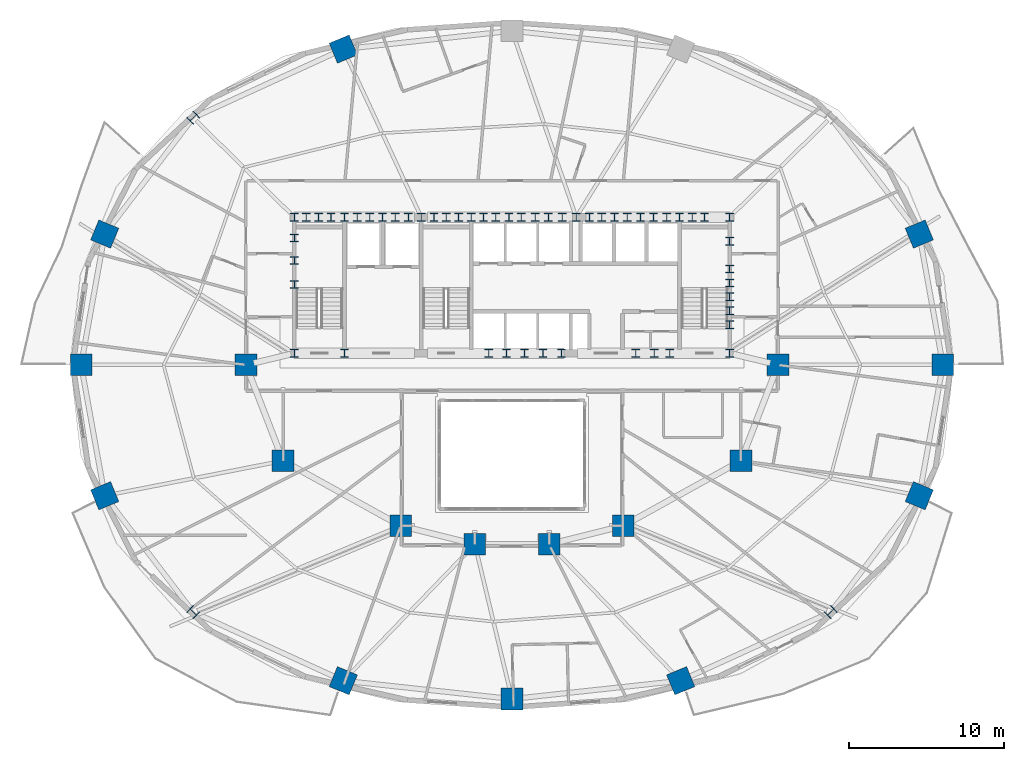
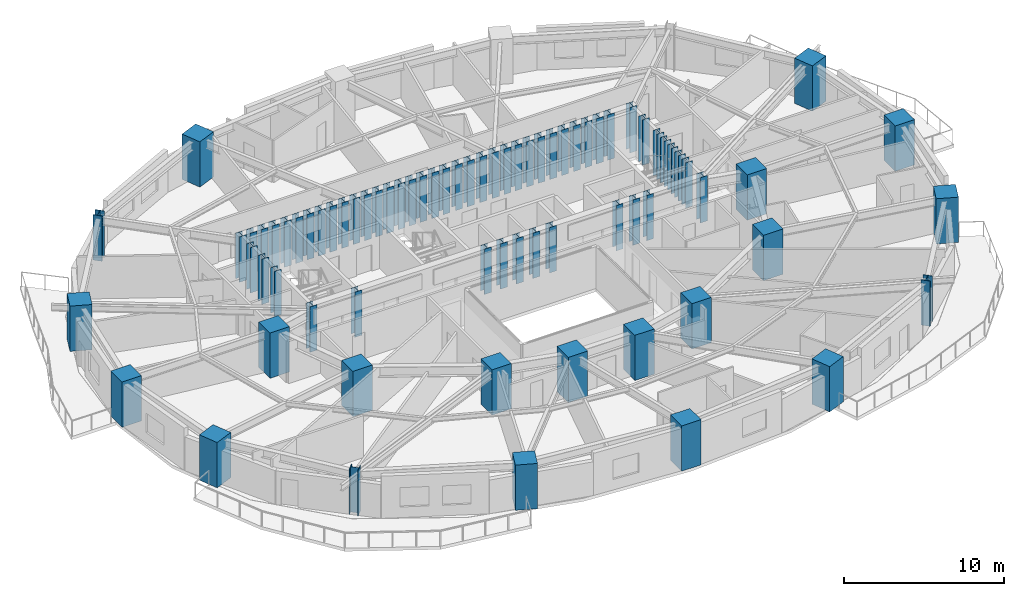
# One storey, part 1 of 15: 75 columns.
"""IFC4 building model written with IfcOpenShell, lengths in metres."""

from ifc_helpers import new_model, si_unit, direction, frame, origin, origin_2d, place, context, subcontext, project, spatial, rectangle, i_section, extrude, material, material_profile, profile_set, type_object, element, save


model = new_model("IFC4")

# Units and contexts
model_context = context("Model", 3, precision=1e-05, world=origin(), true_north=direction((0.0, 1.0)))
body_context = subcontext(model_context, "Body", "Model", "MODEL_VIEW")
ifc_project = project(units=[si_unit("LENGTHUNIT", "METRE"), si_unit("AREAUNIT", "SQUARE_METRE"), si_unit("VOLUMEUNIT", "CUBIC_METRE"), si_unit("PLANEANGLEUNIT", "RADIAN"), si_unit("MASSUNIT", "GRAM", prefix="KILO")], contexts=[model_context])

# Site, building, storey
site_placement = place(None, origin())
site = spatial("IfcSite", under=ifc_project, at=site_placement, CompositionType="ELEMENT")
building_placement = place(site_placement, origin())
building = spatial("IfcBuilding", under=site, at=building_placement, Name="Haldorwick Loom Tower", CompositionType="ELEMENT")
storey_placement = place(building_placement, frame((0.0, 0.0, 81.800048828125)))
storey = spatial("IfcBuildingStorey", under=building, at=storey_placement, Name="L21", CompositionType="ELEMENT", Elevation=81.800048828125)

# Columns
ifc_material_1 = material(Name="Concrete C60 (60 MPa)", Category="concrete")
ifc_material_profile_1 = material_profile(ifc_material_1, rectangle(XDim=1.39990234375, YDim=1.39990234375, at=origin_2d()), Name="RC1400X1400", Category="concrete")
ifc_profile_set_1 = profile_set([ifc_material_profile_1], Name="Concrete C60 (60 MPa)")
column_type_1 = type_object("IfcColumnType", Name="STR-COL-MEGA1400", PredefinedType="COLUMN", material=ifc_profile_set_1)
for number, where, z_axis, x_axis, name in (
    (1, (53.199951171875, 26.0, 0.0), (0.0, 0.0, 1.0), (1.0, 0.0, 0.0), "L21 Inner Column IC-01"),
    (2, (50.800048828125, 19.800048828125, 0.0), (0.0, 0.0, 1.0), (1.0, 0.0, 0.0), "L21 Inner Column IC-02"),
    (3, (43.199951171875, 15.60009765625, 0.0), (0.0, 0.0, 1.0), (1.0, 0.0, 0.0), "L21 Inner Column IC-03"),
    (4, (38.39990234375, 14.39990234375, 0.0), (0.0, 0.0, 1.0), (1.0, 0.0, 0.0), "L21 Inner Column IC-04"),
    (5, (33.60009765625, 14.39990234375, 0.0), (0.0, 0.0, 1.0), (1.0, 0.0, 0.0), "L21 Inner Column IC-05"),
    (6, (28.800048828125, 15.60009765625, 0.0), (0.0, 0.0, 1.0), (1.0, 0.0, 0.0), "L21 Inner Column IC-06"),
    (7, (21.199951171875, 19.800048828125, 0.0), (0.0, 0.0, 1.0), (1.0, 0.0, 0.0), "L21 Inner Column IC-07"),
    (8, (18.800048828125, 26.0, 0.0), (0.0, 0.0, 1.0), (1.0, 0.0, 0.0), "L21 Inner Column IC-08"),
):
    element("IfcColumn", number, at=place(storey_placement, frame(where, z_axis=z_axis, x_axis=x_axis)), inside=storey, type_object=column_type_1, Name=name, PredefinedType="COLUMN", context=body_context, shape_type="SweptSolid", body=[
        extrude(rectangle(XDim=1.39990234375, YDim=1.39990234375, at=origin_2d()), origin(), (0.0, 0.0, 1.0), 3.449951171875),
    ])
ifc_material_profile_2 = material_profile(ifc_material_1, rectangle(XDim=1.39990234375, YDim=1.39990234375, at=origin_2d()), Name="RC1400X1400", Category="concrete")
ifc_profile_set_2 = profile_set([ifc_material_profile_2], Name="Concrete C60 (60 MPa)")
column_type_2 = type_object("IfcColumnType", Name="STR-COL-RC1400", PredefinedType="PILASTER", material=ifc_profile_set_2)
for number, where, z_axis, x_axis, name in (
    (9, (63.857666015625, 26.0, 0.0), (0.0, 0.0, 1.0), (1.0, 0.0, 0.0), "L21 Perimeter Pier Column P01"),
    (10, (62.33056640625, 34.457275390625, 0.0), (0.0, 0.0, 1.0), (0.923879532511, 0.382683432365, 0.0), "L21 Perimeter Pier Column P02"),
    (11, (25.093505859375, 46.417724609375, 0.0), (0.0, 0.0, 1.0), (-0.382683432365, 0.923879532511, 0.0), "L21 Perimeter Pier Column P06"),
    (12, (9.66943359375, 34.457275390625, 0.0), (0.0, 0.0, 1.0), (-0.923879532511, 0.382683432365, 0.0), "L21 Perimeter Pier Column P08"),
    (13, (8.142333984375, 26.0, 0.0), (0.0, 0.0, 1.0), (-1.0, 0.0, 0.0), "L21 Perimeter Pier Column P09"),
    (14, (9.66943359375, 17.542724609375, 0.0), (0.0, 0.0, 1.0), (-0.923879532511, -0.382683432365, 0.0), "L21 Perimeter Pier Column P10"),
    (15, (25.093505859375, 5.582275390625, 0.0), (0.0, 0.0, 1.0), (-0.382683432365, -0.923879532511, 0.0), "L21 Perimeter Pier Column P12"),
    (16, (36.0, 4.401611328125, 0.0), (0.0, 0.0, 1.0), (0.0, -1.0, 0.0), "L21 Perimeter Pier Column P13"),
    (17, (46.906494140625, 5.582275390625, 0.0), (0.0, 0.0, 1.0), (0.382683432365, -0.923879532511, 0.0), "L21 Perimeter Pier Column P14"),
    (18, (62.33056640625, 17.542724609375, 0.0), (0.0, 0.0, 1.0), (0.923879532511, -0.382683432365, 0.0), "L21 Perimeter Pier Column P16"),
):
    element("IfcColumn", number, at=place(storey_placement, frame(where, z_axis=z_axis, x_axis=x_axis)), inside=storey, type_object=column_type_2, Name=name, PredefinedType="PILASTER", context=body_context, shape_type="SweptSolid", body=[
        extrude(rectangle(XDim=1.39990234375, YDim=1.39990234375, at=origin_2d()), origin(), (0.0, 0.0, 1.0), 3.449951171875),
    ])
ifc_material_2 = material(Name="Steel CSA G40.21 350WT", Category="steel")
ifc_material_profile_3 = material_profile(ifc_material_2, i_section(OverallWidth=0.5, OverallDepth=0.5, WebThickness=0.02197265625, FlangeThickness=0.031982421875, at=origin_2d()), Name="WWF500X500", Category="steel")
ifc_profile_set_3 = profile_set([ifc_material_profile_3], Name="Steel CSA G40.21 350WT")
column_type_3 = type_object("IfcColumnType", Name="STR-COL-WWF500", PredefinedType="COLUMN", material=ifc_profile_set_3)
for number, where, z_axis, x_axis, name in (
    (19, (21.929931640625, 35.550048828125, 0.0), (0.0, 0.0, 1.0), (1.0, 0.0, 0.0), "L21 Core Pilaster CB-01"),
    (20, (23.5, 35.550048828125, 0.0), (0.0, 0.0, 1.0), (1.0, 0.0, 0.0), "L21 Core Pilaster CB-02"),
    (21, (25.169921875, 35.550048828125, 0.0), (0.0, 0.0, 1.0), (1.0, 0.0, 0.0), "L21 Core Pilaster CB-03"),
    (22, (26.800048828125, 35.550048828125, 0.0), (0.0, 0.0, 1.0), (1.0, 0.0, 0.0), "L21 Core Pilaster CB-04"),
    (23, (28.449951171875, 35.550048828125, 0.0), (0.0, 0.0, 1.0), (1.0, 0.0, 0.0), "L21 Core Pilaster CB-05"),
    (24, (30.1298828125, 35.550048828125, 0.0), (0.0, 0.0, 1.0), (1.0, 0.0, 0.0), "L21 Core Pilaster CB-06"),
    (25, (31.75, 35.550048828125, 0.0), (0.0, 0.0, 1.0), (1.0, 0.0, 0.0), "L21 Core Pilaster CB-07"),
    (26, (33.3701171875, 35.550048828125, 0.0), (0.0, 0.0, 1.0), (1.0, 0.0, 0.0), "L21 Core Pilaster CB-08"),
    (27, (34.949951171875, 35.550048828125, 0.0), (0.0, 0.0, 1.0), (1.0, 0.0, 0.0), "L21 Core Pilaster CB-09"),
    (28, (36.60009765625, 35.550048828125, 0.0), (0.0, 0.0, 1.0), (1.0, 0.0, 0.0), "L21 Core Pilaster CB-10"),
    (29, (38.35009765625, 35.550048828125, 0.0), (0.0, 0.0, 1.0), (1.0, 0.0, 0.0), "L21 Core Pilaster CB-11"),
    (30, (40.14990234375, 35.550048828125, 0.0), (0.0, 0.0, 1.0), (1.0, 0.0, 0.0), "L21 Core Pilaster CB-12"),
    (31, (41.800048828125, 35.550048828125, 0.0), (0.0, 0.0, 1.0), (1.0, 0.0, 0.0), "L21 Core Pilaster CB-13"),
    (32, (43.449951171875, 35.550048828125, 0.0), (0.0, 0.0, 1.0), (1.0, 0.0, 0.0), "L21 Core Pilaster CB-14"),
    (33, (45.14990234375, 35.550048828125, 0.0), (0.0, 0.0, 1.0), (1.0, 0.0, 0.0), "L21 Core Pilaster CB-15"),
    (34, (46.830078125, 35.550048828125, 0.0), (0.0, 0.0, 1.0), (1.0, 0.0, 0.0), "L21 Core Pilaster CB-16"),
    (35, (48.449951171875, 35.550048828125, 0.0), (0.0, 0.0, 1.0), (1.0, 0.0, 0.0), "L21 Core Pilaster CB-17"),
    (36, (50.070068359375, 35.550048828125, 0.0), (0.0, 0.0, 1.0), (1.0, 0.0, 0.0), "L21 Core Pilaster CB-18"),
    (37, (21.929931640625, 26.75, 0.0), (0.0, 0.0, 1.0), (1.0, 0.0, 0.0), "L21 Core Pilaster CB-19"),
    (38, (25.169921875, 26.75, 0.0), (0.0, 0.0, 1.0), (1.0, 0.0, 0.0), "L21 Core Pilaster CB-20"),
    (39, (34.5, 26.75, 0.0), (0.0, 0.0, 1.0), (1.0, 0.0, 0.0), "L21 Core Pilaster CB-21"),
    (40, (36.800048828125, 26.75, 0.0), (0.0, 0.0, 1.0), (1.0, 0.0, 0.0), "L21 Core Pilaster CB-22"),
    (41, (39.199951171875, 26.75, 0.0), (0.0, 0.0, 1.0), (1.0, 0.0, 0.0), "L21 Core Pilaster CB-23"),
    (42, (45.199951171875, 26.75, 0.0), (0.0, 0.0, 1.0), (1.0, 0.0, 0.0), "L21 Core Pilaster CB-24"),
    (43, (50.070068359375, 26.75, 0.0), (0.0, 0.0, 1.0), (1.0, 0.0, 0.0), "L21 Core Pilaster CB-25"),
    (44, (21.929931640625, 31.199951171875, 0.0), (0.0, 0.0, 1.0), (1.0, 0.0, 0.0), "L21 Core Pilaster CB-26"),
    (45, (21.929931640625, 32.75, 0.0), (0.0, 0.0, 1.0), (1.0, 0.0, 0.0), "L21 Core Pilaster CB-27"),
    (46, (21.929931640625, 34.199951171875, 0.0), (0.0, 0.0, 1.0), (1.0, 0.0, 0.0), "L21 Core Pilaster CB-28"),
    (47, (50.070068359375, 28.60009765625, 0.0), (0.0, 0.0, 1.0), (1.0, 0.0, 0.0), "L21 Core Pilaster CB-29"),
    (48, (50.070068359375, 30.39990234375, 0.0), (0.0, 0.0, 1.0), (1.0, 0.0, 0.0), "L21 Core Pilaster CB-30"),
    (49, (50.070068359375, 32.199951171875, 0.0), (0.0, 0.0, 1.0), (1.0, 0.0, 0.0), "L21 Core Pilaster CB-31"),
    (50, (50.070068359375, 34.0, 0.0), (0.0, 0.0, 1.0), (1.0, 0.0, 0.0), "L21 Core Pilaster CB-32"),
    (51, (22.699951171875, 35.550048828125, 0.0), (0.0, 0.0, 1.0), (1.0, 0.0, 0.0), "L21 Core Pilaster CB-33"),
    (52, (27.6201171875, 35.550048828125, 0.0), (0.0, 0.0, 1.0), (1.0, 0.0, 0.0), "L21 Core Pilaster CB-34"),
    (53, (32.550048828125, 35.550048828125, 0.0), (0.0, 0.0, 1.0), (1.0, 0.0, 0.0), "L21 Core Pilaster CB-35"),
    (54, (37.5, 35.550048828125, 0.0), (0.0, 0.0, 1.0), (1.0, 0.0, 0.0), "L21 Core Pilaster CB-36"),
    (55, (42.6201171875, 35.550048828125, 0.0), (0.0, 0.0, 1.0), (1.0, 0.0, 0.0), "L21 Core Pilaster CB-37"),
    (56, (47.64990234375, 35.550048828125, 0.0), (0.0, 0.0, 1.0), (1.0, 0.0, 0.0), "L21 Core Pilaster CB-38"),
    (57, (24.300048828125, 35.550048828125, 0.0), (0.0, 0.0, 1.0), (1.0, 0.0, 0.0), "L21 Core Pilaster CB-39"),
    (58, (26.0, 35.550048828125, 0.0), (0.0, 0.0, 1.0), (1.0, 0.0, 0.0), "L21 Core Pilaster CB-40"),
    (59, (29.300048828125, 35.550048828125, 0.0), (0.0, 0.0, 1.0), (1.0, 0.0, 0.0), "L21 Core Pilaster CB-41"),
    (60, (30.949951171875, 35.550048828125, 0.0), (0.0, 0.0, 1.0), (1.0, 0.0, 0.0), "L21 Core Pilaster CB-42"),
    (61, (34.14990234375, 35.550048828125, 0.0), (0.0, 0.0, 1.0), (1.0, 0.0, 0.0), "L21 Core Pilaster CB-43"),
    (62, (35.800048828125, 35.550048828125, 0.0), (0.0, 0.0, 1.0), (1.0, 0.0, 0.0), "L21 Core Pilaster CB-44"),
    (63, (39.25, 35.550048828125, 0.0), (0.0, 0.0, 1.0), (1.0, 0.0, 0.0), "L21 Core Pilaster CB-45"),
    (64, (41.0, 35.550048828125, 0.0), (0.0, 0.0, 1.0), (1.0, 0.0, 0.0), "L21 Core Pilaster CB-46"),
    (65, (44.300048828125, 35.550048828125, 0.0), (0.0, 0.0, 1.0), (1.0, 0.0, 0.0), "L21 Core Pilaster CB-47"),
    (66, (46.0, 35.550048828125, 0.0), (0.0, 0.0, 1.0), (1.0, 0.0, 0.0), "L21 Core Pilaster CB-48"),
    (67, (50.070068359375, 29.5, 0.0), (0.0, 0.0, 1.0), (1.0, 0.0, 0.0), "L21 Core Pilaster CB-49"),
    (68, (50.070068359375, 31.300048828125, 0.0), (0.0, 0.0, 1.0), (1.0, 0.0, 0.0), "L21 Core Pilaster CB-50"),
    (69, (35.64990234375, 26.75, 0.0), (0.0, 0.0, 1.0), (1.0, 0.0, 0.0), "L21 Core Pilaster CB-51"),
    (70, (38.0, 26.75, 0.0), (0.0, 0.0, 1.0), (1.0, 0.0, 0.0), "L21 Core Pilaster CB-52"),
    (71, (44.0, 26.75, 0.0), (0.0, 0.0, 1.0), (1.0, 0.0, 0.0), "L21 Core Pilaster CB-53"),
    (72, (46.199951171875, 26.75, 0.0), (0.0, 0.0, 1.0), (1.0, 0.0, 0.0), "L21 Core Pilaster CB-54"),
):
    element("IfcColumn", number, at=place(storey_placement, frame(where, z_axis=z_axis, x_axis=x_axis)), inside=storey, type_object=column_type_3, Name=name, PredefinedType="COLUMN", context=body_context, shape_type="SweptSolid", body=[
        extrude(i_section(OverallWidth=0.5, OverallDepth=0.5, WebThickness=0.02197265625, FlangeThickness=0.031982421875, at=origin_2d()), origin(), (0.0, 0.0, 1.0), 3.449951171875),
    ])
ifc_material_profile_4 = material_profile(ifc_material_2, i_section(OverallWidth=0.60009765625, OverallDepth=0.60009765625, WebThickness=0.02490234375, FlangeThickness=0.035888671875, at=origin_2d()), Name="WWF600X600", Category="steel")
ifc_profile_set_4 = profile_set([ifc_material_profile_4], Name="Steel CSA G40.21 350WT")
column_type_4 = type_object("IfcColumnType", Name="STR-COL-WWF600", PredefinedType="COLUMN", material=ifc_profile_set_4)
for number, where, z_axis, x_axis, name in (
    (73, (15.393310546875, 41.981689453125, 0.0), (0.0, 0.0, 1.0), (-0.707106781187, 0.707106781187, 0.0), "L21 Perimeter Pier Column P07"),
    (74, (15.393310546875, 10.018310546875, 0.0), (0.0, 0.0, 1.0), (-0.707106781187, -0.707106781187, 0.0), "L21 Perimeter Pier Column P11"),
    (75, (56.606689453125, 10.018310546875, 0.0), (0.0, 0.0, 1.0), (0.707106781187, -0.707106781187, 0.0), "L21 Perimeter Pier Column P15"),
):
    element("IfcColumn", number, at=place(storey_placement, frame(where, z_axis=z_axis, x_axis=x_axis)), inside=storey, type_object=column_type_4, Name=name, PredefinedType="COLUMN", context=body_context, shape_type="SweptSolid", body=[
        extrude(i_section(OverallWidth=0.60009765625, OverallDepth=0.60009765625, WebThickness=0.02490234375, FlangeThickness=0.035888671875, at=origin_2d()), origin(), (0.0, 0.0, 1.0), 3.449951171875),
    ])

save(model, "model.ifc")
